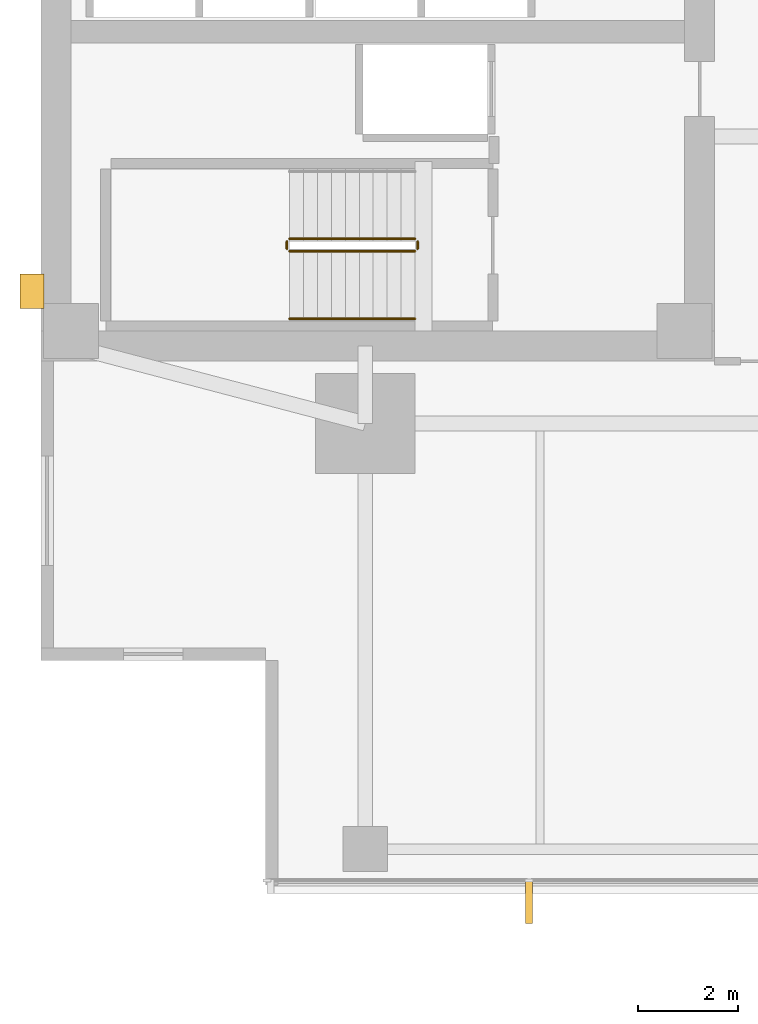
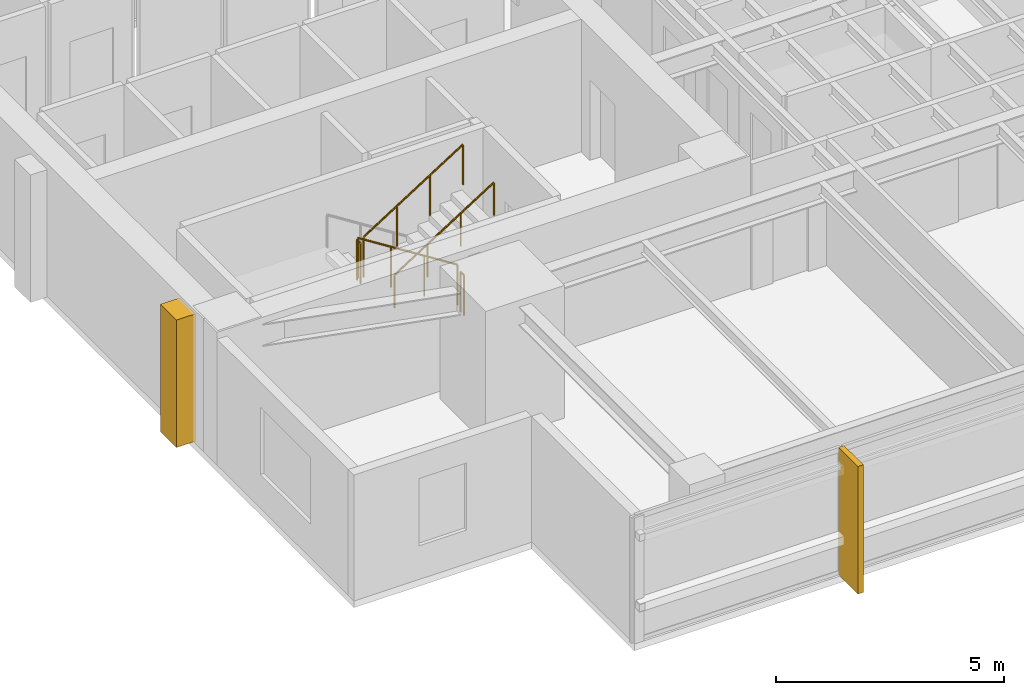
# One storey, part 11 of 14: 5 railings, 2 coverings.
"""IFC4 building model written with IfcOpenShell, lengths in metres."""

from ifc_helpers import new_model, si_unit, direction, frame, origin, origin_2d, place, context, subcontext, project, spatial, polyline, circle, outline, extrude, material, layer, layer_set, type_object, element, save


model = new_model("IFC4")

# Units and contexts
model_context = context("Model", 3, precision=1e-05, world=origin(), true_north=direction((0.0, 1.0)))
body_context = subcontext(model_context, "Body", "Model", "MODEL_VIEW")
ifc_project = project(units=[si_unit("LENGTHUNIT", "METRE"), si_unit("AREAUNIT", "SQUARE_METRE"), si_unit("VOLUMEUNIT", "CUBIC_METRE"), si_unit("PLANEANGLEUNIT", "RADIAN"), si_unit("MASSUNIT", "GRAM", prefix="KILO")], contexts=[model_context])

# Site, building, storey
site_placement = place(None, origin())
site = spatial("IfcSite", under=ifc_project, at=site_placement, CompositionType="ELEMENT")
building_placement = place(site_placement, origin())
building = spatial("IfcBuilding", under=site, at=building_placement, Name="Kinhvarn Gate Tower", CompositionType="ELEMENT")
storey_placement = place(building_placement, frame((0.0, 0.0, 148.39990234375)))
storey = spatial("IfcBuildingStorey", under=building, at=storey_placement, Name="L39", CompositionType="ELEMENT", Elevation=148.39990234375)

# Coverings
ifc_material_1 = material(Name="Fired architectural terracotta", Category="masonry")
ifc_layer_1 = layer(ifc_material_1, 0.139892578125)
ifc_layer_set_1 = layer_set([ifc_layer_1], Name="Fired architectural terracotta")
covering_type_1 = type_object("IfcCoveringType", Name="COV-FIN-850", PredefinedType="CLADDING", material=ifc_layer_set_1)
covering_1_placement = place(storey_placement, frame((0.0, 0.0, -0.02001953125)))
element("IfcCovering", 1, at=covering_1_placement, inside=storey, type_object=covering_type_1, Name="Vertical Terracotta Expressive Fin TFN-850 (L39)", PredefinedType="CLADDING", context=body_context, shape_type="SweptSolid", body=[
    extrude(outline(polyline([(14.2158203125, 3.580078125), (14.355712890625, 3.580078125), (14.355712890625, 2.72998046875), (14.2158203125, 2.72998046875), (14.2158203125, 3.580078125)])), origin(), (0.0, 0.0, 1.0), 3.41015625),
])
ifc_material_2 = material(Name="Precast white architectural concrete C40/50", Category="concrete")
ifc_layer_2 = layer(ifc_material_2, 0.47998046875)
ifc_layer_set_2 = layer_set([ifc_layer_2], Name="Precast white architectural concrete C40/50")
covering_type_2 = type_object("IfcCoveringType", Name="COV-RIB-450", PredefinedType="CLADDING", material=ifc_layer_set_2)
covering_2_placement = place(storey_placement, frame((0.0, 0.0, -0.02001953125)))
element("IfcCovering", 2, at=covering_2_placement, inside=storey, type_object=covering_type_2, Name="West Core Sculptural Concrete Relief Rib CRB-450 (L39)", PredefinedType="CLADDING", context=body_context, shape_type="SweptSolid", body=[
    extrude(outline(polyline([(4.080078125, 15.050048828125), (4.56005859375, 15.050048828125), (4.56005859375, 15.75), (4.080078125, 15.75), (4.080078125, 15.050048828125)])), origin(), (0.0, 0.0, 1.0), 3.41015625),
])

# Railings
ifc_material_3 = material(Name="Steel S355", Category="steel")
railing_type_1 = type_object("IfcRailingType", Name="RL-ST-GRD", PredefinedType="BALUSTRADE", material=ifc_material_3)
railing_1_placement = place(storey_placement, frame((12.0, 16.449951171875, 0.177490234375)))
element("IfcRailing", 3, at=railing_1_placement, inside=storey, type_object=railing_type_1, Name="L39 ST1 stair guard 1", PredefinedType="BALUSTRADE", context=body_context, shape_type="SweptSolid", body=[
    extrude(circle(Radius=0.02392578125, at=origin_2d()), frame((0.0, 0.0, 1.076171875), z_axis=(-0.84456994832, 0.0, 0.535445237532), x_axis=(0.0, -1.0, 0.0)), (0.0, 0.0, 1.0), 2.98388671875),
    extrude(circle(Radius=0.02099609375, at=origin_2d()), origin(), (0.0, 0.0, 1.0), 1.052001953125),
    extrude(circle(Radius=0.02099609375, at=origin_2d()), frame((-0.840087890625, 0.0, 0.532470703125)), (0.0, 0.0, 1.0), 1.052001953125),
    extrude(circle(Radius=0.02099609375, at=origin_2d()), frame((-1.679931640625, 0.0, 1.065185546875)), (0.0, 0.0, 1.0), 1.052001953125),
    extrude(circle(Radius=0.02099609375, at=origin_2d()), frame((-2.52001953125, 0.0, 1.59765625)), (0.0, 0.0, 1.0), 1.052001953125),
])
railing_2_placement = place(storey_placement, frame((9.429931640625, 16.39990234375, 1.775146484375)))
element("IfcRailing", 4, at=railing_2_placement, inside=storey, type_object=railing_type_1, Name="L39 ST1 stair guard 2", PredefinedType="BALUSTRADE", context=body_context, shape_type="SweptSolid", body=[
    extrude(circle(Radius=0.02392578125, at=origin_2d()), frame((0.0, 0.0, 1.076171875), z_axis=(0.0, -1.0, 0.0), x_axis=(1.0, 0.0, 0.0)), (0.0, 0.0, 1.0), 0.14990234375),
    extrude(circle(Radius=0.02099609375, at=origin_2d()), origin(), (0.0, 0.0, 1.0), 1.052001953125),
    extrude(circle(Radius=0.02099609375, at=origin_2d()), frame((0.0, -0.14990234375, 0.0)), (0.0, 0.0, 1.0), 1.052001953125),
])
railing_3_placement = place(storey_placement, frame((9.47998046875, 16.199951171875, 1.95263671875)))
element("IfcRailing", 5, at=railing_3_placement, inside=storey, type_object=railing_type_1, Name="L39 ST1 stair guard 3", PredefinedType="BALUSTRADE", context=body_context, shape_type="SweptSolid", body=[
    extrude(circle(Radius=0.02392578125, at=origin_2d()), frame((0.0, 0.0, 1.076171875), z_axis=(0.84460694969, 0.0, 0.535386869969), x_axis=(0.0, 1.0, 0.0)), (0.0, 0.0, 1.0), 2.983642578125),
    extrude(circle(Radius=0.02099609375, at=origin_2d()), origin(), (0.0, 0.0, 1.0), 1.052001953125),
    extrude(circle(Radius=0.02099609375, at=origin_2d()), frame((0.840087890625, 0.0, 0.532470703125)), (0.0, 0.0, 1.0), 1.052001953125),
    extrude(circle(Radius=0.02099609375, at=origin_2d()), frame((1.679931640625, 0.0, 1.06494140625)), (0.0, 0.0, 1.0), 1.052001953125),
    extrude(circle(Radius=0.02099609375, at=origin_2d()), frame((2.52001953125, 0.0, 1.597412109375)), (0.0, 0.0, 1.0), 1.052001953125),
])
railing_4_placement = place(storey_placement, frame((12.050048828125, 16.39990234375, 0.0)))
element("IfcRailing", 6, at=railing_4_placement, inside=storey, type_object=railing_type_1, Name="L39 ST1 stair guard 4", PredefinedType="BALUSTRADE", context=body_context, shape_type="SweptSolid", body=[
    extrude(circle(Radius=0.02392578125, at=origin_2d()), frame((0.0, 0.0, 1.076171875), z_axis=(0.0, -1.0, 0.0), x_axis=(1.0, 0.0, 0.0)), (0.0, 0.0, 1.0), 0.14990234375),
    extrude(circle(Radius=0.02099609375, at=origin_2d()), origin(), (0.0, 0.0, 1.0), 1.052001953125),
    extrude(circle(Radius=0.02099609375, at=origin_2d()), frame((0.0, -0.14990234375, 0.0)), (0.0, 0.0, 1.0), 1.052001953125),
])
railing_type_2 = type_object("IfcRailingType", Name="RL-ST-HND", PredefinedType="HANDRAIL", material=ifc_material_3)
railing_5_placement = place(storey_placement, frame((9.47998046875, 14.85009765625, 1.95263671875)))
element("IfcRailing", 7, at=railing_5_placement, inside=storey, type_object=railing_type_2, Name="L39 ST1 stair handrail 2", PredefinedType="HANDRAIL", context=body_context, shape_type="SweptSolid", body=[
    extrude(circle(Radius=0.02392578125, at=origin_2d()), frame((0.0, 0.0, 0.8759765625), z_axis=(0.84460694969, 0.0, 0.535386869969), x_axis=(0.0, 1.0, 0.0)), (0.0, 0.0, 1.0), 2.983642578125),
    extrude(circle(Radius=0.02099609375, at=origin_2d()), origin(), (0.0, 0.0, 1.0), 0.851806640625),
    extrude(circle(Radius=0.02099609375, at=origin_2d()), frame((0.840087890625, 0.0, 0.532470703125)), (0.0, 0.0, 1.0), 0.851806640625),
    extrude(circle(Radius=0.02099609375, at=origin_2d()), frame((1.679931640625, 0.0, 1.06494140625)), (0.0, 0.0, 1.0), 0.851806640625),
    extrude(circle(Radius=0.02099609375, at=origin_2d()), frame((2.52001953125, 0.0, 1.597412109375)), (0.0, 0.0, 1.0), 0.851806640625),
])

save(model, "model.ifc")
